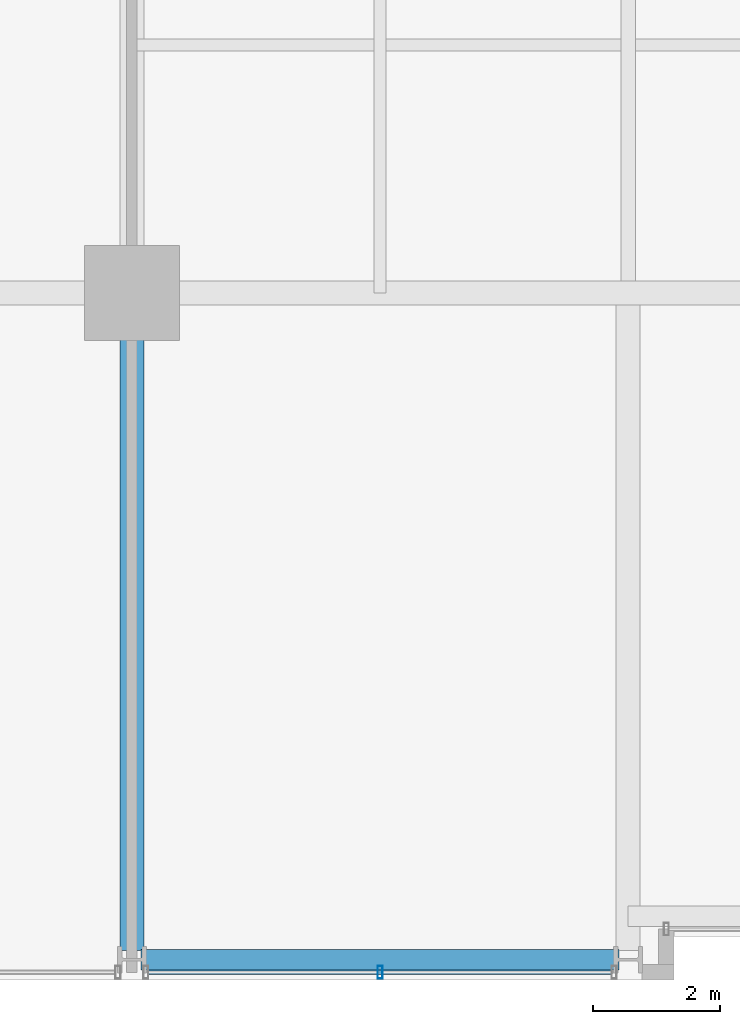
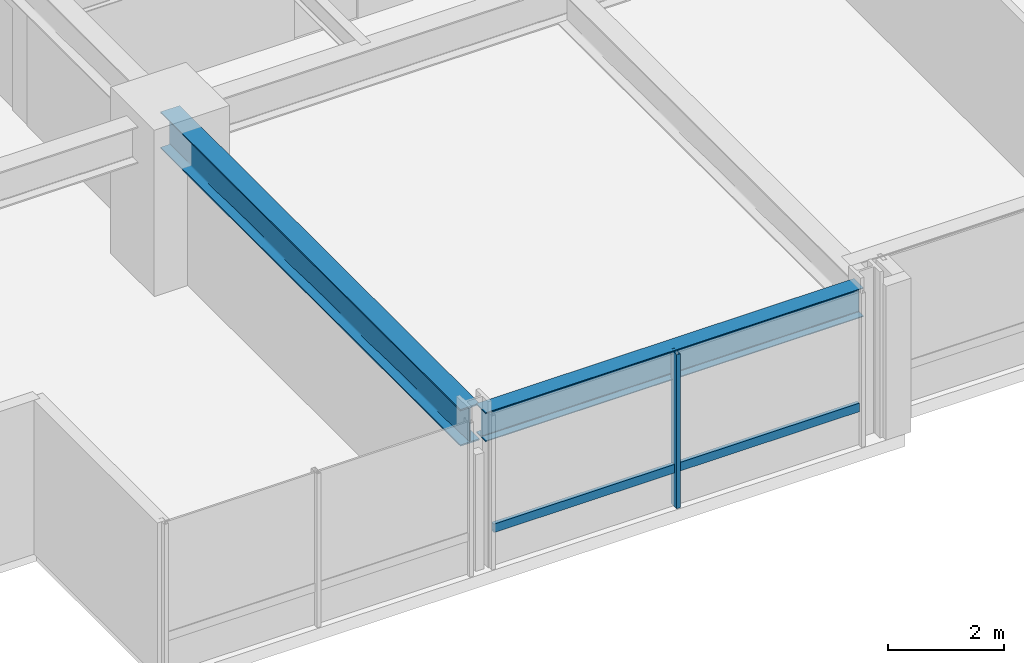
# One storey, part 3 of 34: 2 beams, 2 members, 1 element without a shape of its own.
"""IFC4 building model written with IfcOpenShell, lengths in metres."""

from ifc_helpers import new_model, si_unit, direction, frame, origin, origin_2d, place, context, subcontext, project, spatial, hollow_rectangle, i_section, extrude, material, layer, layer_set, material_profile, profile_set, type_object, element, aggregate, save


model = new_model("IFC4")

# Units and contexts
model_context = context("Model", 3, precision=1e-05, world=origin(), true_north=direction((0.0, 1.0)))
body_context = subcontext(model_context, "Body", "Model", "MODEL_VIEW")
ifc_project = project(units=[si_unit("LENGTHUNIT", "METRE"), si_unit("AREAUNIT", "SQUARE_METRE"), si_unit("VOLUMEUNIT", "CUBIC_METRE"), si_unit("PLANEANGLEUNIT", "RADIAN"), si_unit("MASSUNIT", "GRAM", prefix="KILO")], contexts=[model_context])

# Site, building, storey
site_placement = place(None, origin())
site = spatial("IfcSite", under=ifc_project, at=site_placement, CompositionType="ELEMENT")
building_placement = place(site_placement, origin())
building = spatial("IfcBuilding", under=site, at=building_placement, Name="Drelvath Grand Hotel", CompositionType="ELEMENT")
storey_placement = place(building_placement, frame((0.0, 0.0, 102.300048828125)))
storey = spatial("IfcBuildingStorey", under=building, at=storey_placement, Name="L25", CompositionType="ELEMENT", Elevation=102.300048828125)

# Curtain wall, members
ifc_material_1 = material(Name="Champagne Bronze Anodised Aluminium Frame", Category="aluminium")
ifc_layer = layer(ifc_material_1, 0.199951171875)
ifc_layer_set = layer_set([ifc_layer], Name="Champagne Bronze Anodised Aluminium Frame")
curtain_wall_type = type_object("IfcCurtainWallType", Name="Stick Curtain Wall CW-03 Champagne Bronze Mid-Rise", PredefinedType="NOTDEFINED", material=ifc_layer_set)
curtain_wall_placement = place(storey_placement, origin())
curtain_wall = element("IfcCurtainWall", 1, at=curtain_wall_placement, inside=storey, type_object=curtain_wall_type, Name="L25 CW-03 Curtain Wall CW03-L25-SW2", PredefinedType="NOTDEFINED")
ifc_material_profile_1 = material_profile(ifc_material_1, hollow_rectangle(XDim=0.074951171875, YDim=0.179931640625, WallThickness=0.0048828125, at=origin_2d()), Name="HSS180X75X5")
ifc_profile_set_1 = profile_set([ifc_material_profile_1], Name="Champagne Bronze Anodised Aluminium Frame")
member_type_1 = type_object("IfcMemberType", Name="Curtain Wall Horizontal Transom CW-03 HSS180X75X5", PredefinedType="USERDEFINED", material=ifc_profile_set_1)
member_1_placement = place(storey_placement, frame((-8.65966796875, 0.1201171875, 0.81005859375), z_axis=(-1.0, 0.0, 0.0), x_axis=(0.0, -1.0, 0.0)))
member_1 = element("IfcMember", 2, at=member_1_placement, type_object=member_type_1, Name="CW03-L25-SW2 Sill Transom", ObjectType="TRANSOM", PredefinedType="USERDEFINED", context=body_context, shape_type="SweptSolid", body=[
    extrude(hollow_rectangle(XDim=0.074951171875, YDim=0.179931640625, WallThickness=0.0048828125, at=origin_2d()), origin(), (0.0, 0.0, 1.0), 7.28076171875),
])
ifc_material_profile_2 = material_profile(ifc_material_1, hollow_rectangle(XDim=0.080078125, YDim=0.199951171875, WallThickness=0.0048828125, at=origin_2d()), Name="HSS200X80X5")
ifc_profile_set_2 = profile_set([ifc_material_profile_2], Name="Champagne Bronze Anodised Aluminium Frame")
member_type_2 = type_object("IfcMemberType", Name="Curtain Wall Vertical Mullion CW-03 HSS200X80X5", PredefinedType="MULLION", material=ifc_profile_set_2)
member_2_placement = place(storey_placement, frame((-12.300048828125, 0.1201171875, 0.0), z_axis=(0.0, 0.0, 1.0), x_axis=(1.0, 0.0, 0.0)))
member_2 = element("IfcMember", 3, at=member_2_placement, type_object=member_type_2, Name="CW03-L25-SW2 Mullion 2", PredefinedType="MULLION", context=body_context, shape_type="SweptSolid", body=[
    extrude(hollow_rectangle(XDim=0.080078125, YDim=0.199951171875, WallThickness=0.0048828125, at=origin_2d()), origin(), (0.0, 0.0, 1.0), 3.239990234375),
])
aggregate(curtain_wall, [member_2, member_1])

# Beams
ifc_material_2 = material(Name="Steel ASTM A992 Gr 50", Category="steel")
ifc_material_profile_3 = material_profile(ifc_material_2, i_section(OverallWidth=0.323974609375, OverallDepth=0.611083984375, WebThickness=0.0126953125, FlangeThickness=0.01904296875, FilletRadius=0.02197265625, at=origin_2d()), Name="W24X104")
ifc_profile_set_3 = profile_set([ifc_material_profile_3], Name="Steel ASTM A992 Gr 50")
beam_type_1 = type_object("IfcBeamType", Name="Perimeter Spandrel Beam W24X104", PredefinedType="SPANDREL", material=ifc_profile_set_3)
beam_1_placement = place(storey_placement, frame((-16.06005859375, 0.320068359375, 2.9345703125), z_axis=(1.0, 0.0, 0.0), x_axis=(0.0, 1.0, 0.0)))
element("IfcBeam", 4, at=beam_1_placement, inside=storey, type_object=beam_type_1, Name="L25 Spandrel South W", PredefinedType="SPANDREL", context=body_context, shape_type="SweptSolid", body=[
    extrude(i_section(OverallWidth=0.323974609375, OverallDepth=0.611083984375, WebThickness=0.0126953125, FlangeThickness=0.01904296875, FilletRadius=0.02197265625, at=origin_2d()), origin(), (0.0, 0.0, 1.0), 7.52001953125),
])
ifc_material_profile_4 = material_profile(ifc_material_2, i_section(OverallWidth=0.380615234375, OverallDepth=0.773193359375, WebThickness=0.0166015625, FlangeThickness=0.027099609375, FilletRadius=0.02490234375, at=origin_2d()), Name="W30X173")
ifc_profile_set_4 = profile_set([ifc_material_profile_4], Name="Steel ASTM A992 Gr 50")
beam_type_2 = type_object("IfcBeamType", Name="Primary Floor Girder W30X173", PredefinedType="BEAM", material=ifc_profile_set_4)
beam_2_placement = place(storey_placement, frame((-16.199951171875, 0.4599609375, 2.853271484375), z_axis=(0.0, 1.0, 0.0), x_axis=(-1.0, 0.0, 0.0)))
element("IfcBeam", 5, at=beam_2_placement, inside=storey, type_object=beam_type_2, Name="L25 South Grid Girder 3", PredefinedType="BEAM", context=body_context, shape_type="SweptSolid", body=[
    extrude(i_section(OverallWidth=0.380615234375, OverallDepth=0.773193359375, WebThickness=0.0166015625, FlangeThickness=0.027099609375, FilletRadius=0.02490234375, at=origin_2d()), origin(), (0.0, 0.0, 1.0), 10.340087890625),
])

save(model, "model.ifc")
